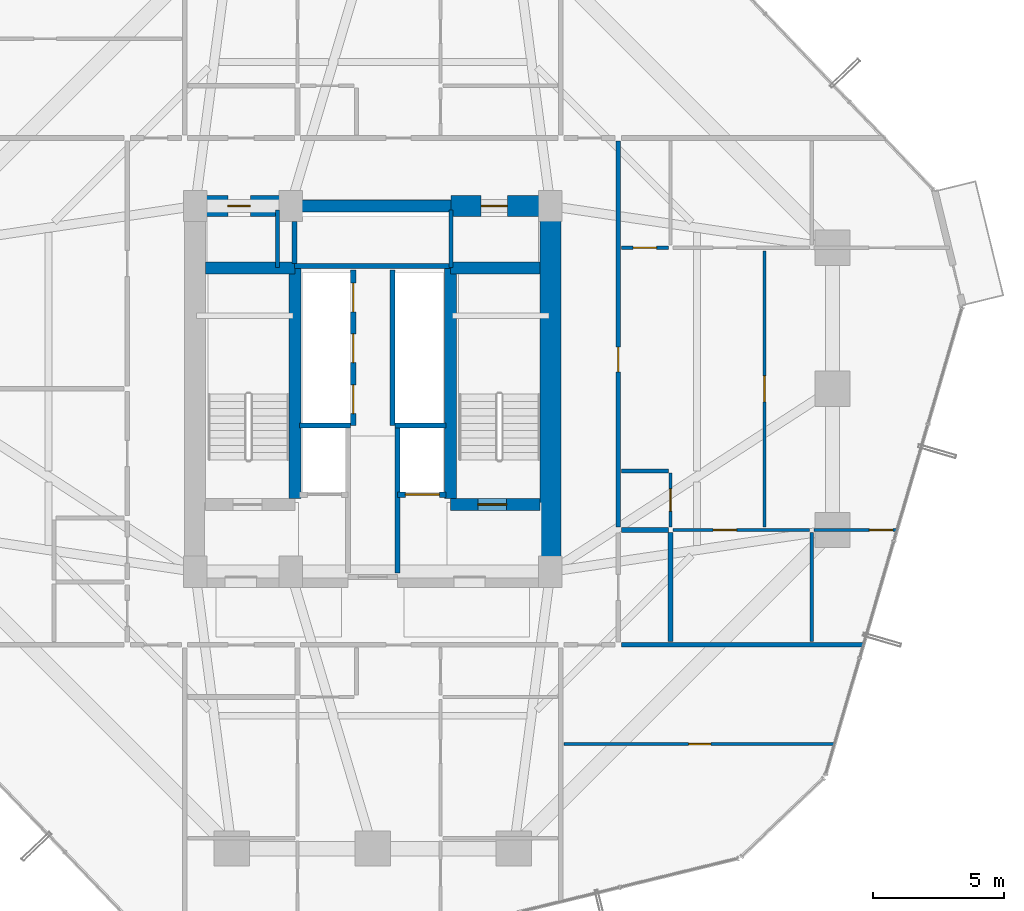
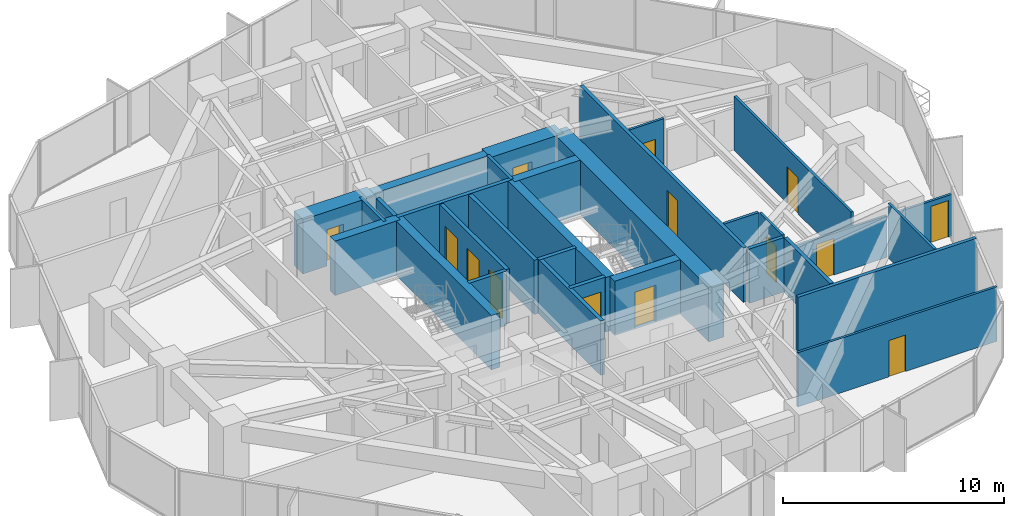
# One storey, part 33 of 37: 31 walls, 14 doors, 14 openings.
"""IFC4 building model written with IfcOpenShell, lengths in metres."""

from ifc_helpers import new_model, si_unit, direction, frame, frame_2d, origin, place, context, subcontext, project, spatial, rectangle, extrude, source, transform, mapped, material, layer, layer_set, type_object, element, fill, save


model = new_model("IFC4")

# Units and contexts
model_context = context("Model", 3, precision=1e-05, world=origin(), true_north=direction((0.0, 1.0)))
body_context = subcontext(model_context, "Body", "Model", "MODEL_VIEW")
ifc_project = project(units=[si_unit("LENGTHUNIT", "METRE"), si_unit("AREAUNIT", "SQUARE_METRE"), si_unit("VOLUMEUNIT", "CUBIC_METRE"), si_unit("PLANEANGLEUNIT", "RADIAN"), si_unit("MASSUNIT", "GRAM", prefix="KILO")], contexts=[model_context])

# Site, building, storey
site_placement = place(None, origin())
site = spatial("IfcSite", under=ifc_project, at=site_placement, CompositionType="ELEMENT")
building_placement = place(site_placement, origin())
building = spatial("IfcBuilding", under=site, at=building_placement, Name="Veraguas Prism Commons", CompositionType="ELEMENT")
storey_placement = place(building_placement, frame((0.0, 0.0, 70.60009765625)))
storey = spatial("IfcBuildingStorey", under=building, at=storey_placement, Name="L19", CompositionType="ELEMENT", Elevation=70.60009765625)

# Wall
ifc_material_1 = material(Name="Concrete C60/75", Category="concrete")
ifc_layer_1 = layer(ifc_material_1, 0.449951171875, Name="Core Internal Shear Wall Lower RC 450", Category="concrete")
ifc_layer_set_1 = layer_set([ifc_layer_1], Name="Concrete C60/75")
wall_type_1 = type_object("IfcWallType", Name="Core Internal Shear Wall Lower RC 450", PredefinedType="SHEAR", material=ifc_layer_set_1)
wall_1_placement = place(storey_placement, frame((21.0, 31.0, 0.0), z_axis=(0.0, 0.0, 1.0), x_axis=(1.0, 0.0, 0.0)))
element("IfcWall", 1, at=wall_1_placement, inside=storey, type_object=wall_type_1, Name="High-Rise Lift Bank Front Shear Wall L19", PredefinedType="SHEAR", context=body_context, shape_type="SweptSolid", body=[
    extrude(rectangle(XDim=6.0, YDim=0.449951171875, at=frame_2d((3.0, 0.0))), origin(), (0.0, 0.0, 1.0), 3.0),
])

# Wall, opening, door
wall_2_placement = place(storey_placement, frame((26.97509765625, 19.574951171875, 0.0), z_axis=(0.0, 0.0, 1.0), x_axis=(1.0, 0.0, 0.0)))
wall_2 = element("IfcWall", 2, at=wall_2_placement, inside=storey, type_object=wall_type_1, Name="Stair ST-02 South Shear Wall L19", PredefinedType="SHEAR", context=body_context, shape_type="SweptSolid", body=[
    extrude(rectangle(XDim=3.4248046875, YDim=0.449951171875, at=frame_2d((1.71240234375, 0.0))), origin(), (0.0, 0.0, 1.0), 3.0),
])
opening_1_placement = place(wall_2_placement, frame((1.050048828125, 0.0, 0.0)))
opening_1 = element("IfcOpeningElement", 3, at=opening_1_placement, cuts=wall_2, Name="Opening DR-05", PredefinedType="OPENING", context=body_context, shape_type="SweptSolid", body=[
    extrude(rectangle(XDim=1.10009765625, YDim=2.030029296875, at=frame_2d((0.550048828125, 1.01513671875))), frame((0.0, 0.23486328125, 0.0), z_axis=(0.0, -1.0, 0.0), x_axis=(1.0, 0.0, 0.0)), (0.0, 0.0, 1.0), 0.469970703125),
])
ifc_material_2 = material(Name="Steel fire-rated door assembly", Category="steel")
door_type_1 = type_object("IfcDoorType", Name="Protected Stair and Refuge Fire Door 1100x2030", OperationType="NOTDEFINED", PredefinedType="DOOR", material=ifc_material_2)
shared_shape_1 = source(origin(), body_context, "Body", "SweptSolid", [
    extrude(rectangle(XDim=1.10009765625, YDim=2.030029296875, at=frame_2d((0.550048828125, 1.01513671875))), frame((0.0, 0.02490234375, 0.0), z_axis=(0.0, -1.0, 0.0), x_axis=(1.0, 0.0, 0.0)), (0.0, 0.0, 1.0), 0.050048828125),
])
door_1_placement = place(opening_1_placement, origin())
door_1 = element("IfcDoor", 4, at=door_1_placement, inside=storey, type_object=door_type_1, Name="Stair ST-02 Enclosure Door L19", OperationType="SINGLE_SWING_LEFT", OverallHeight=2.030029296875, OverallWidth=1.10009765625, PredefinedType="DOOR", context=body_context, shape_type="MappedRepresentation", body=[
    mapped(shared_shape_1, transform((0.0, 0.0, 0.0), scale=1.0)),
])
fill(opening_1, door_1)

# Walls
for number, where, z_axis, x_axis, name in (
    (5, (21.02490234375, 19.800048828125, 0.0), (0.0, 0.0, 1.0), (0.0, 1.0, 0.0), "Stair ST-01 Inner Shear Wall L19"),
    (6, (26.97509765625, 19.800048828125, 0.0), (0.0, 0.0, 1.0), (0.0, 1.0, 0.0), "Stair ST-02 Inner Shear Wall L19"),
):
    element("IfcWall", number, at=place(storey_placement, frame(where, z_axis=z_axis, x_axis=x_axis)), inside=storey, type_object=wall_type_1, Name=name, PredefinedType="SHEAR", context=body_context, shape_type="SweptSolid", body=[
        extrude(rectangle(XDim=8.824951171875, YDim=0.449951171875, at=frame_2d((4.41259765625, 0.0))), origin(), (0.0, 0.0, 1.0), 3.0),
    ])
for number, where, z_axis, x_axis, name in (
    (7, (17.60009765625, 28.625, 0.0), (0.0, 0.0, 1.0), (1.0, 0.0, 0.0), "Stair ST-01 North Shear Wall L19"),
    (8, (26.97509765625, 28.625, 0.0), (0.0, 0.0, 1.0), (1.0, 0.0, 0.0), "Stair ST-02 North Shear Wall L19"),
):
    element("IfcWall", number, at=place(storey_placement, frame(where, z_axis=z_axis, x_axis=x_axis)), inside=storey, type_object=wall_type_1, Name=name, PredefinedType="SHEAR", context=body_context, shape_type="SweptSolid", body=[
        extrude(rectangle(XDim=3.4248046875, YDim=0.449951171875, at=frame_2d((1.71240234375, 0.0))), origin(), (0.0, 0.0, 1.0), 3.0),
    ])
ifc_layer_2 = layer(ifc_material_1, 0.800048828125, Name="Core Outer Shear Wall Lower RC 800", Category="concrete")
ifc_layer_set_2 = layer_set([ifc_layer_2], Name="Concrete C60/75")
wall_type_2 = type_object("IfcWallType", Name="Core Outer Shear Wall Lower RC 800", PredefinedType="SHEAR", material=ifc_layer_set_2)
wall_3_placement = place(storey_placement, frame((30.800048828125, 16.800048828125, 0.0), z_axis=(0.0, 0.0, 1.0), x_axis=(0.0, 1.0, 0.0)))
element("IfcWall", 9, at=wall_3_placement, inside=storey, type_object=wall_type_2, Name="Central Core East Shear Wall L19", PredefinedType="SHEAR", context=body_context, shape_type="SweptSolid", body=[
    extrude(rectangle(XDim=14.199951171875, YDim=0.800048828125, at=frame_2d((7.10009765625, 0.0))), origin(), (0.0, 0.0, 1.0), 3.0),
])

# Wall, opening, door
wall_4_placement = place(storey_placement, frame((17.199951171875, 31.0, 0.0), z_axis=(0.0, 0.0, 1.0), x_axis=(1.0, 0.0, 0.0)))
wall_4 = element("IfcWall", 10, at=wall_4_placement, inside=storey, type_object=wall_type_2, Name="Central Core North-West Shear Wall L19", PredefinedType="SHEAR", context=body_context, shape_type="SweptSolid", body=[
    extrude(rectangle(XDim=3.800048828125, YDim=0.800048828125, at=frame_2d((1.89990234375, 0.0))), origin(), (0.0, 0.0, 1.0), 3.0),
])
opening_2_placement = place(wall_4_placement, frame((1.25, 0.0, 0.0)))
opening_2 = element("IfcOpeningElement", 11, at=opening_2_placement, cuts=wall_4, Name="Opening DR-12", PredefinedType="OPENING", context=body_context, shape_type="SweptSolid", body=[
    extrude(rectangle(XDim=0.860107421875, YDim=2.010009765625, at=frame_2d((0.43017578125, 1.0048828125))), frame((0.0, 0.409912109375, 0.0), z_axis=(0.0, -1.0, 0.0), x_axis=(1.0, 0.0, 0.0)), (0.0, 0.0, 1.0), 0.820068359375),
])
door_type_2 = type_object("IfcDoorType", Name="Core WC Fire Door 860x2010", OperationType="NOTDEFINED", PredefinedType="DOOR", material=ifc_material_2)
shared_shape_2 = source(origin(), body_context, "Body", "SweptSolid", [
    extrude(rectangle(XDim=0.860107421875, YDim=2.010009765625, at=frame_2d((0.43017578125, 1.0048828125))), frame((0.0, 0.02490234375, 0.0), z_axis=(0.0, -1.0, 0.0), x_axis=(1.0, 0.0, 0.0)), (0.0, 0.0, 1.0), 0.050048828125),
])
door_2_placement = place(opening_2_placement, origin())
door_2 = element("IfcDoor", 12, at=door_2_placement, inside=storey, type_object=door_type_2, Name="Core NW Service Door L19", OperationType="SINGLE_SWING_RIGHT", OverallHeight=2.010009765625, OverallWidth=0.860107421875, PredefinedType="DOOR", context=body_context, shape_type="MappedRepresentation", body=[
    mapped(shared_shape_2, transform((0.0, 0.0, 0.0), scale=1.0)),
])
fill(opening_2, door_2)

wall_5_placement = place(storey_placement, frame((27.0, 31.0, 0.0), z_axis=(0.0, 0.0, 1.0), x_axis=(1.0, 0.0, 0.0)))
wall_5 = element("IfcWall", 13, at=wall_5_placement, inside=storey, type_object=wall_type_2, Name="Central Core North-East Shear Wall L19", PredefinedType="SHEAR", context=body_context, shape_type="SweptSolid", body=[
    extrude(rectangle(XDim=3.800048828125, YDim=0.800048828125, at=frame_2d((1.89990234375, 0.0))), origin(), (0.0, 0.0, 1.0), 3.0),
])
opening_3_placement = place(wall_5_placement, frame((1.14990234375, 0.0, 0.0)))
opening_3 = element("IfcOpeningElement", 14, at=opening_3_placement, cuts=wall_5, Name="Opening DR-13", PredefinedType="OPENING", context=body_context, shape_type="SweptSolid", body=[
    extrude(rectangle(XDim=1.0, YDim=2.010009765625, at=frame_2d((0.5, 1.0048828125))), frame((0.0, 0.409912109375, 0.0), z_axis=(0.0, -1.0, 0.0), x_axis=(1.0, 0.0, 0.0)), (0.0, 0.0, 1.0), 0.820068359375),
])
door_type_3 = type_object("IfcDoorType", Name="Core Accessible WC and Clinic Fire Door 1000x2010", OperationType="NOTDEFINED", PredefinedType="DOOR", material=ifc_material_2)
shared_shape_3 = source(origin(), body_context, "Body", "SweptSolid", [
    extrude(rectangle(XDim=1.0, YDim=2.010009765625, at=frame_2d((0.5, 1.0048828125))), frame((0.0, 0.02490234375, 0.0), z_axis=(0.0, -1.0, 0.0), x_axis=(1.0, 0.0, 0.0)), (0.0, 0.0, 1.0), 0.050048828125),
])
door_3_placement = place(opening_3_placement, origin())
door_3 = element("IfcDoor", 15, at=door_3_placement, inside=storey, type_object=door_type_3, Name="Core NE Pantry Door L19", OperationType="SINGLE_SWING_LEFT", OverallHeight=2.010009765625, OverallWidth=1.0, PredefinedType="DOOR", context=body_context, shape_type="MappedRepresentation", body=[
    mapped(shared_shape_3, transform((0.0, 0.0, 0.0), scale=1.0)),
])
fill(opening_3, door_3)

# Wall
ifc_material_3 = material(Name="Autoclaved aerated masonry block 10 MPa", Category="masonry")
ifc_layer_3 = layer(ifc_material_3, 0.179931640625, Name="Corridor and Inter-Tenancy Partition 180", Category="masonry")
ifc_layer_set_3 = layer_set([ifc_layer_3], Name="Autoclaved aerated masonry block 10 MPa")
wall_type_3 = type_object("IfcWallType", Name="Corridor and Inter-Tenancy Partition 180", PredefinedType="PARTITIONING", material=ifc_layer_set_3)
wall_6_placement = place(storey_placement, frame((33.52001953125, 14.199951171875, 0.0), z_axis=(0.0, 0.0, 1.0), x_axis=(1.0, 0.0, 0.0)))
element("IfcWall", 16, at=wall_6_placement, inside=storey, type_object=wall_type_3, Name="WL-L19-PT044", PredefinedType="PARTITIONING", context=body_context, shape_type="SweptSolid", body=[
    extrude(rectangle(XDim=9.302001953125, YDim=0.179931640625, at=frame_2d((4.65087890625, 0.0))), origin(), (0.0, 0.0, 1.0), 3.0),
])

# Wall, opening, door
wall_7_placement = place(storey_placement, frame((33.39990234375, 18.7099609375, 0.0), z_axis=(0.0, 0.0, 1.0), x_axis=(0.0, 1.0, 0.0)))
wall_7 = element("IfcWall", 17, at=wall_7_placement, inside=storey, type_object=wall_type_3, Name="WL-L19-PT047", PredefinedType="PARTITIONING", context=body_context, shape_type="SweptSolid", body=[
    extrude(rectangle(XDim=14.780029296875, YDim=0.179931640625, at=frame_2d((7.39013671875, 0.0))), origin(), (0.0, 0.0, 1.0), 3.0),
])
opening_4_placement = place(wall_7_placement, frame((5.93994140625, 0.0, 0.0)))
opening_4 = element("IfcOpeningElement", 18, at=opening_4_placement, cuts=wall_7, Name="Opening DR-01", PredefinedType="OPENING", context=body_context, shape_type="SweptSolid", body=[
    extrude(rectangle(XDim=0.949951171875, YDim=2.02001953125, at=frame_2d((0.47509765625, 1.010009765625))), frame((0.0, 0.099853515625, 0.0), z_axis=(0.0, -1.0, 0.0), x_axis=(1.0, 0.0, 0.0)), (0.0, 0.0, 1.0), 0.199951171875),
])
ifc_material_4 = material(Name="Anodised aluminium EN AW-6063 T6", Category="aluminium")
door_type_4 = type_object("IfcDoorType", Name="Apartment Entrance Fire Door 950x2020", OperationType="NOTDEFINED", PredefinedType="DOOR", material=ifc_material_4)
shared_shape_4 = source(origin(), body_context, "Body", "SweptSolid", [
    extrude(rectangle(XDim=0.949951171875, YDim=2.02001953125, at=frame_2d((0.47509765625, 1.010009765625))), frame((0.0, 0.02490234375, 0.0), z_axis=(0.0, -1.0, 0.0), x_axis=(1.0, 0.0, 0.0)), (0.0, 0.0, 1.0), 0.050048828125),
])
door_4_placement = place(opening_4_placement, origin())
door_4 = element("IfcDoor", 19, at=door_4_placement, inside=storey, type_object=door_type_4, Name="Flat 19C Entrance Door", OperationType="SINGLE_SWING_LEFT", OverallHeight=2.02001953125, OverallWidth=0.949951171875, PredefinedType="DOOR", context=body_context, shape_type="MappedRepresentation", body=[
    mapped(shared_shape_4, transform((0.0, 0.0, 0.0), scale=1.0)),
])
fill(opening_4, door_4)

# Walls
wall_8_placement = place(storey_placement, frame((35.39990234375, 14.320068359375, 0.0), z_axis=(0.0, 0.0, 1.0), x_axis=(0.0, 1.0, 0.0)))
element("IfcWall", 20, at=wall_8_placement, inside=storey, type_object=wall_type_3, Name="WL-L19-PT053", PredefinedType="PARTITIONING", context=body_context, shape_type="SweptSolid", body=[
    extrude(rectangle(XDim=4.179931640625, YDim=0.179931640625, at=frame_2d((2.08984375, 0.0))), origin(), (0.0, 0.0, 1.0), 3.0),
])
wall_9_placement = place(storey_placement, frame((33.52001953125, 18.60009765625, 0.0), z_axis=(0.0, 0.0, 1.0), x_axis=(1.0, 0.0, 0.0)))
element("IfcWall", 21, at=wall_9_placement, inside=storey, type_object=wall_type_3, Name="WL-L19-PT054", PredefinedType="PARTITIONING", context=body_context, shape_type="SweptSolid", body=[
    extrude(rectangle(XDim=1.800048828125, YDim=0.179931640625, at=frame_2d((0.89990234375, 0.0))), origin(), (0.0, 0.0, 1.0), 3.0),
])
ifc_material_5 = material(Name="Lightweight acoustic gypsum board")
ifc_layer_4 = layer(ifc_material_5, 0.125, Name="Internal Apartment Room Partition 125")
ifc_layer_set_4 = layer_set([ifc_layer_4], Name="Lightweight acoustic gypsum board")
wall_type_4 = type_object("IfcWallType", Name="Internal Apartment Room Partition 125", PredefinedType="PARTITIONING", material=ifc_layer_set_4)
wall_10_placement = place(storey_placement, frame((40.800048828125, 14.320068359375, 0.0), z_axis=(0.0, 0.0, 1.0), x_axis=(0.0, 1.0, 0.0)))
element("IfcWall", 22, at=wall_10_placement, inside=storey, type_object=wall_type_4, Name="WL-L19-PT048", PredefinedType="PARTITIONING", context=body_context, shape_type="SweptSolid", body=[
    extrude(rectangle(XDim=4.179931640625, YDim=0.125, at=frame_2d((2.08984375, 0.0))), origin(), (0.0, 0.0, 1.0), 3.0),
])

# Wall, opening, door
wall_11_placement = place(storey_placement, frame((40.89990234375, 18.60009765625, 0.0), z_axis=(0.0, 0.0, 1.0), x_axis=(1.0, 0.0, 0.0)))
wall_11 = element("IfcWall", 23, at=wall_11_placement, inside=storey, type_object=wall_type_4, Name="WL-L19-PT049", PredefinedType="PARTITIONING", context=body_context, shape_type="SweptSolid", body=[
    extrude(rectangle(XDim=3.207275390625, YDim=0.125, at=frame_2d((1.603515625, 0.0))), origin(), (0.0, 0.0, 1.0), 2.298828125),
])
opening_5_placement = place(wall_11_placement, frame((2.107177734375, 0.0, 0.0)))
opening_5 = element("IfcOpeningElement", 24, at=opening_5_placement, cuts=wall_11, Name="Opening DR-02", PredefinedType="OPENING", context=body_context, shape_type="SweptSolid", body=[
    extrude(rectangle(XDim=0.89990234375, YDim=2.010009765625, at=frame_2d((0.449951171875, 1.0048828125))), frame((0.0, 0.072509765625, 0.0), z_axis=(0.0, -1.0, 0.0), x_axis=(1.0, 0.0, 0.0)), (0.0, 0.0, 1.0), 0.14501953125),
])
ifc_material_6 = material(Name="Timber solid core hardwood", Category="wood")
door_type_5 = type_object("IfcDoorType", Name="Internal Habitable Room Door 900x2010", OperationType="NOTDEFINED", PredefinedType="DOOR", material=ifc_material_6)
shared_shape_5 = source(origin(), body_context, "Body", "SweptSolid", [
    extrude(rectangle(XDim=0.89990234375, YDim=2.010009765625, at=frame_2d((0.449951171875, 1.0048828125))), frame((0.0, 0.02490234375, 0.0), z_axis=(0.0, -1.0, 0.0), x_axis=(1.0, 0.0, 0.0)), (0.0, 0.0, 1.0), 0.050048828125),
])
door_5_placement = place(opening_5_placement, origin())
door_5 = element("IfcDoor", 25, at=door_5_placement, inside=storey, type_object=door_type_5, Name="Flat 19C Bedroom 3 Door", OperationType="SINGLE_SWING_RIGHT", OverallHeight=2.010009765625, OverallWidth=0.89990234375, PredefinedType="DOOR", context=body_context, shape_type="MappedRepresentation", body=[
    mapped(shared_shape_5, transform((0.0, 0.0, 0.0), scale=1.0)),
])
fill(opening_5, door_5)

wall_12_placement = place(storey_placement, frame((39.0, 18.719970703125, 0.0), z_axis=(0.0, 0.0, 1.0), x_axis=(0.0, 1.0, 0.0)))
wall_12 = element("IfcWall", 26, at=wall_12_placement, inside=storey, type_object=wall_type_4, Name="WL-L19-PT052", PredefinedType="PARTITIONING", context=body_context, shape_type="SweptSolid", body=[
    extrude(rectangle(XDim=10.56005859375, YDim=0.125, at=frame_2d((5.280029296875, 0.0))), origin(), (0.0, 0.0, 1.0), 3.0),
])
opening_6_placement = place(wall_12_placement, frame((4.780029296875, 0.0, 0.0)))
opening_6 = element("IfcOpeningElement", 27, at=opening_6_placement, cuts=wall_12, Name="Opening DR-04", PredefinedType="OPENING", context=body_context, shape_type="SweptSolid", body=[
    extrude(rectangle(XDim=1.0, YDim=2.010009765625, at=frame_2d((0.5, 1.0048828125))), frame((0.0, 0.072509765625, 0.0), z_axis=(0.0, -1.0, 0.0), x_axis=(1.0, 0.0, 0.0)), (0.0, 0.0, 1.0), 0.14501953125),
])
door_type_6 = type_object("IfcDoorType", Name="Accessible WC and Clinic Exam Door 1000x2010", OperationType="NOTDEFINED", PredefinedType="DOOR", material=ifc_material_4)
door_6_placement = place(opening_6_placement, origin())
door_6 = element("IfcDoor", 28, at=door_6_placement, inside=storey, type_object=door_type_6, Name="Flat 19C Sunroom Door", OperationType="SINGLE_SWING_RIGHT", OverallHeight=2.010009765625, OverallWidth=1.0, PredefinedType="DOOR", context=body_context, shape_type="MappedRepresentation", body=[
    mapped(shared_shape_3, transform((0.0, 0.0, 0.0), scale=1.0)),
])
fill(opening_6, door_6)

wall_13_placement = place(storey_placement, frame((35.5, 18.60009765625, 0.0), z_axis=(0.0, 0.0, 1.0), x_axis=(1.0, 0.0, 0.0)))
wall_13 = element("IfcWall", 29, at=wall_13_placement, inside=storey, type_object=wall_type_4, Name="WL-L19-PT055", PredefinedType="PARTITIONING", context=body_context, shape_type="SweptSolid", body=[
    extrude(rectangle(XDim=5.219970703125, YDim=0.125, at=frame_2d((2.60986328125, 0.0))), origin(), (0.0, 0.0, 1.0), 2.298828125),
])
opening_7_placement = place(wall_13_placement, frame((1.53271484375, 0.0, 0.0)))
opening_7 = element("IfcOpeningElement", 30, at=opening_7_placement, cuts=wall_13, Name="Opening DR-02", PredefinedType="OPENING", context=body_context, shape_type="SweptSolid", body=[
    extrude(rectangle(XDim=0.89990234375, YDim=2.010009765625, at=frame_2d((0.449951171875, 1.0048828125))), frame((0.0, 0.072509765625, 0.0), z_axis=(0.0, -1.0, 0.0), x_axis=(1.0, 0.0, 0.0)), (0.0, 0.0, 1.0), 0.14501953125),
])
door_7_placement = place(opening_7_placement, origin())
door_7 = element("IfcDoor", 31, at=door_7_placement, inside=storey, type_object=door_type_5, Name="Flat 19C Bedroom 2 Door", OperationType="SINGLE_SWING_LEFT", OverallHeight=2.010009765625, OverallWidth=0.89990234375, PredefinedType="DOOR", context=body_context, shape_type="MappedRepresentation", body=[
    mapped(shared_shape_5, transform((0.0, 0.0, 0.0), scale=1.0)),
])
fill(opening_7, door_7)

wall_14_placement = place(storey_placement, frame((35.39990234375, 18.719970703125, 0.0), z_axis=(0.0, 0.0, 1.0), x_axis=(0.0, 1.0, 0.0)))
wall_14 = element("IfcWall", 32, at=wall_14_placement, inside=storey, type_object=wall_type_4, Name="WL-L19-PT057", PredefinedType="PARTITIONING", context=body_context, shape_type="SweptSolid", body=[
    extrude(rectangle(XDim=2.050048828125, YDim=0.125, at=frame_2d((1.02490234375, 0.0))), origin(), (0.0, 0.0, 1.0), 3.0),
])
opening_8_placement = place(wall_14_placement, frame((0.594970703125, 0.0, 0.0)))
opening_8 = element("IfcOpeningElement", 33, at=opening_8_placement, cuts=wall_14, Name="Opening DR-03", PredefinedType="OPENING", context=body_context, shape_type="SweptSolid", body=[
    extrude(rectangle(XDim=0.860107421875, YDim=2.010009765625, at=frame_2d((0.43017578125, 1.0048828125))), frame((0.0, 0.072509765625, 0.0), z_axis=(0.0, -1.0, 0.0), x_axis=(1.0, 0.0, 0.0)), (0.0, 0.0, 1.0), 0.14501953125),
])
ifc_material_7 = material(Name="Timber moisture-resistant leaf", Category="wood")
door_type_7 = type_object("IfcDoorType", Name="Internal Bathroom Door 860x2010", OperationType="NOTDEFINED", PredefinedType="DOOR", material=ifc_material_7)
door_8_placement = place(opening_8_placement, origin())
door_8 = element("IfcDoor", 34, at=door_8_placement, inside=storey, type_object=door_type_7, Name="Flat 19C Bathroom Door", OperationType="SINGLE_SWING_RIGHT", OverallHeight=2.010009765625, OverallWidth=0.860107421875, PredefinedType="DOOR", context=body_context, shape_type="MappedRepresentation", body=[
    mapped(shared_shape_2, transform((0.0, 0.0, 0.0), scale=1.0)),
])
fill(opening_8, door_8)

wall_15_placement = place(storey_placement, frame((33.52001953125, 29.39990234375, 0.0), z_axis=(0.0, 0.0, 1.0), x_axis=(1.0, 0.0, 0.0)))
wall_15 = element("IfcWall", 35, at=wall_15_placement, inside=storey, type_object=wall_type_4, Name="WL-L19-PT058", PredefinedType="PARTITIONING", context=body_context, shape_type="SweptSolid", body=[
    extrude(rectangle(XDim=1.800048828125, YDim=0.125, at=frame_2d((0.89990234375, 0.0))), origin(), (0.0, 0.0, 1.0), 3.0),
])
opening_9_placement = place(wall_15_placement, frame((0.449951171875, 0.0, 0.0)))
opening_9 = element("IfcOpeningElement", 36, at=opening_9_placement, cuts=wall_15, Name="Opening DR-02", PredefinedType="OPENING", context=body_context, shape_type="SweptSolid", body=[
    extrude(rectangle(XDim=0.89990234375, YDim=2.010009765625, at=frame_2d((0.449951171875, 1.0048828125))), frame((0.0, 0.072509765625, 0.0), z_axis=(0.0, -1.0, 0.0), x_axis=(1.0, 0.0, 0.0)), (0.0, 0.0, 1.0), 0.14501953125),
])
door_9_placement = place(opening_9_placement, origin())
door_9 = element("IfcDoor", 37, at=door_9_placement, inside=storey, type_object=door_type_5, Name="Flat 19C Kitchen Door", OperationType="SINGLE_SWING_LEFT", OverallHeight=2.010009765625, OverallWidth=0.89990234375, PredefinedType="DOOR", context=body_context, shape_type="MappedRepresentation", body=[
    mapped(shared_shape_5, transform((0.0, 0.0, 0.0), scale=1.0)),
])
fill(opening_9, door_9)

wall_16_placement = place(storey_placement, frame((31.320068359375, 10.39990234375, 0.0), z_axis=(0.0, 0.0, 1.0), x_axis=(1.0, 0.0, 0.0)))
wall_16 = element("IfcWall", 38, at=wall_16_placement, inside=storey, type_object=wall_type_4, Name="WL-L19-PT063", PredefinedType="PARTITIONING", context=body_context, shape_type="SweptSolid", body=[
    extrude(rectangle(XDim=10.392333984375, YDim=0.125, at=frame_2d((5.1962890625, 0.0))), origin(), (0.0, 0.0, 1.0), 3.0),
])
opening_10_placement = place(wall_16_placement, frame((4.76611328125, 0.0, 0.0)))
opening_10 = element("IfcOpeningElement", 39, at=opening_10_placement, cuts=wall_16, Name="Opening DR-03", PredefinedType="OPENING", context=body_context, shape_type="SweptSolid", body=[
    extrude(rectangle(XDim=0.860107421875, YDim=2.010009765625, at=frame_2d((0.43017578125, 1.0048828125))), frame((0.0, 0.072509765625, 0.0), z_axis=(0.0, -1.0, 0.0), x_axis=(1.0, 0.0, 0.0)), (0.0, 0.0, 1.0), 0.14501953125),
])
door_10_placement = place(opening_10_placement, origin())
door_10 = element("IfcDoor", 40, at=door_10_placement, inside=storey, type_object=door_type_7, Name="Corner Store SE Door", OperationType="SINGLE_SWING_LEFT", OverallHeight=2.010009765625, OverallWidth=0.860107421875, PredefinedType="DOOR", context=body_context, shape_type="MappedRepresentation", body=[
    mapped(shared_shape_2, transform((0.0, 0.0, 0.0), scale=1.0)),
])
fill(opening_10, door_10)

ifc_layer_5 = layer(ifc_material_3, 0.199951171875, Name="Rated Shaft and Lobby Block Wall 200", Category="masonry")
ifc_layer_set_5 = layer_set([ifc_layer_5], Name="Autoclaved aerated masonry block 10 MPa")
wall_type_5 = type_object("IfcWallType", Name="Rated Shaft and Lobby Block Wall 200", PredefinedType="SOLIDWALL", material=ifc_layer_set_5)
wall_17_placement = place(storey_placement, frame((24.949951171875, 19.949951171875, 0.0), z_axis=(0.0, 0.0, 1.0), x_axis=(1.0, 0.0, 0.0)))
wall_17 = element("IfcWall", 41, at=wall_17_placement, inside=storey, type_object=wall_type_5, Name="Firefighting Lift FFL-2 Front Wall L19", PredefinedType="SOLIDWALL", context=body_context, shape_type="SweptSolid", body=[
    extrude(rectangle(XDim=1.85009765625, YDim=0.199951171875, at=frame_2d((0.925048828125, 0.0))), origin(), (0.0, 0.0, 1.0), 3.0),
])
opening_11_placement = place(wall_17_placement, frame((0.300048828125, 0.0, 0.0)))
opening_11 = element("IfcOpeningElement", 42, at=opening_11_placement, cuts=wall_17, Name="Opening LD-02", PredefinedType="OPENING", context=body_context, shape_type="SweptSolid", body=[
    extrude(rectangle(XDim=1.300048828125, YDim=2.25, at=frame_2d((0.64990234375, 1.125))), frame((0.0, 0.10986328125, 0.0), z_axis=(0.0, -1.0, 0.0), x_axis=(1.0, 0.0, 0.0)), (0.0, 0.0, 1.0), 0.219970703125),
])
ifc_material_8 = material(Name="Stainless steel AISI 316", Category="steel")
door_type_8 = type_object("IfcDoorType", Name="Firefighting Lift Sliding Landing Door 1300x2250", OperationType="NOTDEFINED", PredefinedType="DOOR", material=ifc_material_8)
shared_shape_6 = source(origin(), body_context, "Body", "SweptSolid", [
    extrude(rectangle(XDim=1.300048828125, YDim=2.25, at=frame_2d((0.64990234375, 1.125))), frame((0.0, 0.02490234375, 0.0), z_axis=(0.0, -1.0, 0.0), x_axis=(1.0, 0.0, 0.0)), (0.0, 0.0, 1.0), 0.050048828125),
])
door_11_placement = place(opening_11_placement, origin())
door_11 = element("IfcDoor", 43, at=door_11_placement, inside=storey, type_object=door_type_8, Name="Firefighting Lift FFL-2 Front Wall L19", OperationType="SLIDING_TO_LEFT", OverallHeight=2.25, OverallWidth=1.300048828125, PredefinedType="DOOR", context=body_context, shape_type="MappedRepresentation", body=[
    mapped(shared_shape_6, transform((0.0, 0.0, 0.0), scale=1.0)),
])
fill(opening_11, door_11)

# Walls
wall_18_placement = place(storey_placement, frame((24.949951171875, 16.949951171875, 0.0), z_axis=(0.0, 0.0, 1.0), x_axis=(0.0, 1.0, 0.0)))
element("IfcWall", 44, at=wall_18_placement, inside=storey, type_object=wall_type_5, Name="East FF Lobby Divider Wall L19", PredefinedType="SOLIDWALL", context=body_context, shape_type="SweptSolid", body=[
    extrude(rectangle(XDim=5.60009765625, YDim=0.199951171875, at=frame_2d((2.800048828125, 0.0))), origin(), (0.0, 0.0, 1.0), 3.0),
])
for number, where, z_axis, x_axis, name in (
    (45, (21.199951171875, 22.60009765625, 0.0), (0.0, 0.0, 1.0), (1.0, 0.0, 0.0), "Firefighting Lift FFL-1 Rear Wall L19"),
    (46, (24.85009765625, 22.60009765625, 0.0), (0.0, 0.0, 1.0), (1.0, 0.0, 0.0), "Firefighting Lift FFL-2 Rear Wall L19"),
):
    element("IfcWall", number, at=place(storey_placement, frame(where, z_axis=z_axis, x_axis=x_axis)), inside=storey, type_object=wall_type_5, Name=name, PredefinedType="SOLIDWALL", context=body_context, shape_type="SweptSolid", body=[
        extrude(rectangle(XDim=1.949951171875, YDim=0.199951171875, at=frame_2d((0.97509765625, 0.0))), origin(), (0.0, 0.0, 1.0), 3.0),
    ])
wall_19_placement = place(storey_placement, frame((21.0, 28.699951171875, 0.0), z_axis=(0.0, 0.0, 1.0), x_axis=(1.0, 0.0, 0.0)))
element("IfcWall", 47, at=wall_19_placement, inside=storey, type_object=wall_type_5, Name="High-Rise Lift Bank Rear Shaft Wall L19", PredefinedType="SOLIDWALL", context=body_context, shape_type="SweptSolid", body=[
    extrude(rectangle(XDim=6.0, YDim=0.199951171875, at=frame_2d((3.0, 0.0))), origin(), (0.0, 0.0, 1.0), 3.0),
])
wall_20_placement = place(storey_placement, frame((21.0, 28.800048828125, 0.0), z_axis=(0.0, 0.0, 1.0), x_axis=(0.0, 1.0, 0.0)))
element("IfcWall", 48, at=wall_20_placement, inside=storey, type_object=wall_type_5, Name="High-Rise Lift Bank West Shaft Wall L19", PredefinedType="SOLIDWALL", context=body_context, shape_type="SweptSolid", body=[
    extrude(rectangle(XDim=1.599853515625, YDim=0.199951171875, at=frame_2d((0.7998046875, 0.0))), origin(), (0.0, 0.0, 1.0), 3.0),
])

# Wall, openings, doors
wall_21_placement = place(storey_placement, frame((23.25, 22.60009765625, 0.0), z_axis=(0.0, 0.0, 1.0), x_axis=(0.0, 1.0, 0.0)))
wall_21 = element("IfcWall", 49, at=wall_21_placement, inside=storey, type_object=wall_type_5, Name="Low-Rise Lift Bank Front Wall L19", PredefinedType="SOLIDWALL", context=body_context, shape_type="SweptSolid", body=[
    extrude(rectangle(XDim=5.949951171875, YDim=0.199951171875, at=frame_2d((2.97509765625, 0.0))), origin(), (0.0, 0.0, 1.0), 3.0),
])
opening_12_placement = place(wall_21_placement, frame((0.449951171875, 0.0, 0.0)))
opening_12 = element("IfcOpeningElement", 50, at=opening_12_placement, cuts=wall_21, Name="Opening LD-01", PredefinedType="OPENING", context=body_context, shape_type="SweptSolid", body=[
    extrude(rectangle(XDim=1.10009765625, YDim=2.080078125, at=frame_2d((0.550048828125, 1.0400390625))), frame((0.0, 0.10986328125, 0.0), z_axis=(0.0, -1.0, 0.0), x_axis=(1.0, 0.0, 0.0)), (0.0, 0.0, 1.0), 0.219970703125),
])
opening_13_placement = place(wall_21_placement, frame((2.39990234375, 0.0, 0.0)))
opening_13 = element("IfcOpeningElement", 51, at=opening_13_placement, cuts=wall_21, Name="Opening LD-01", PredefinedType="OPENING", context=body_context, shape_type="SweptSolid", body=[
    extrude(rectangle(XDim=1.10009765625, YDim=2.080078125, at=frame_2d((0.550048828125, 1.0400390625))), frame((0.0, 0.10986328125, 0.0), z_axis=(0.0, -1.0, 0.0), x_axis=(1.0, 0.0, 0.0)), (0.0, 0.0, 1.0), 0.219970703125),
])
opening_14_placement = place(wall_21_placement, frame((4.35009765625, 0.0, 0.0)))
opening_14 = element("IfcOpeningElement", 52, at=opening_14_placement, cuts=wall_21, Name="Opening LD-01", PredefinedType="OPENING", context=body_context, shape_type="SweptSolid", body=[
    extrude(rectangle(XDim=1.10009765625, YDim=2.080078125, at=frame_2d((0.550048828125, 1.0400390625))), frame((0.0, 0.10986328125, 0.0), z_axis=(0.0, -1.0, 0.0), x_axis=(1.0, 0.0, 0.0)), (0.0, 0.0, 1.0), 0.219970703125),
])
door_type_9 = type_object("IfcDoorType", Name="Passenger Lift Sliding Landing Door 1100x2080", OperationType="NOTDEFINED", PredefinedType="DOOR", material=ifc_material_8)
shared_shape_7 = source(origin(), body_context, "Body", "SweptSolid", [
    extrude(rectangle(XDim=1.10009765625, YDim=2.080078125, at=frame_2d((0.550048828125, 1.0400390625))), frame((0.0, 0.02490234375, 0.0), z_axis=(0.0, -1.0, 0.0), x_axis=(1.0, 0.0, 0.0)), (0.0, 0.0, 1.0), 0.050048828125),
])
door_12_placement = place(opening_12_placement, origin())
door_12 = element("IfcDoor", 53, at=door_12_placement, inside=storey, type_object=door_type_9, Name="Sliding Landing Door PL-L1 L19", OperationType="SLIDING_TO_LEFT", OverallHeight=2.080078125, OverallWidth=1.10009765625, PredefinedType="DOOR", context=body_context, shape_type="MappedRepresentation", body=[
    mapped(shared_shape_7, transform((0.0, 0.0, 0.0), scale=1.0)),
])
fill(opening_12, door_12)
door_13_placement = place(opening_13_placement, origin())
door_13 = element("IfcDoor", 54, at=door_13_placement, inside=storey, type_object=door_type_9, Name="Sliding Landing Door PL-L2 L19", OperationType="SLIDING_TO_LEFT", OverallHeight=2.080078125, OverallWidth=1.10009765625, PredefinedType="DOOR", context=body_context, shape_type="MappedRepresentation", body=[
    mapped(shared_shape_7, transform((0.0, 0.0, 0.0), scale=1.0)),
])
fill(opening_13, door_13)
door_14_placement = place(opening_14_placement, origin())
door_14 = element("IfcDoor", 55, at=door_14_placement, inside=storey, type_object=door_type_9, Name="Sliding Landing Door PL-L3 L19", OperationType="SLIDING_TO_LEFT", OverallHeight=2.080078125, OverallWidth=1.10009765625, PredefinedType="DOOR", context=body_context, shape_type="MappedRepresentation", body=[
    mapped(shared_shape_7, transform((0.0, 0.0, 0.0), scale=1.0)),
])
fill(opening_14, door_14)

# Walls
wall_22_placement = place(storey_placement, frame((24.75, 22.60009765625, 0.0), z_axis=(0.0, 0.0, 1.0), x_axis=(0.0, 1.0, 0.0)))
element("IfcWall", 56, at=wall_22_placement, inside=storey, type_object=wall_type_5, Name="Mid-Rise Lift Bank Front Wall L19", PredefinedType="SOLIDWALL", context=body_context, shape_type="SweptSolid", body=[
    extrude(rectangle(XDim=5.949951171875, YDim=0.199951171875, at=frame_2d((2.97509765625, 0.0))), origin(), (0.0, 0.0, 1.0), 3.0),
])
ifc_layer_6 = layer(ifc_material_5, 0.14990234375, Name="Wet Room and Clinic Acoustic Partition 150")
ifc_layer_set_6 = layer_set([ifc_layer_6], Name="Lightweight acoustic gypsum board")
wall_type_6 = type_object("IfcWallType", Name="Wet Room and Clinic Acoustic Partition 150", PredefinedType="PARTITIONING", material=ifc_layer_set_6)
for number, where, z_axis, x_axis, name in (
    (57, (20.35009765625, 28.64990234375, 0.0), (0.0, 0.0, 1.0), (0.0, 1.0, 0.0), "Core NW Service Inner Wall L19"),
    (58, (27.0, 28.64990234375, 0.0), (0.0, 0.0, 1.0), (0.0, 1.0, 0.0), "Core NE Service Inner Wall L19"),
):
    element("IfcWall", number, at=place(storey_placement, frame(where, z_axis=z_axis, x_axis=x_axis)), inside=storey, type_object=wall_type_6, Name=name, PredefinedType="PARTITIONING", context=body_context, shape_type="SweptSolid", body=[
        extrude(rectangle(XDim=2.2001953125, YDim=0.14990234375, at=frame_2d((1.10009765625, 0.0))), origin(), (0.0, 0.0, 1.0), 3.0),
    ])
wall_23_placement = place(storey_placement, frame((33.52001953125, 20.85009765625, 0.0), z_axis=(0.0, 0.0, 1.0), x_axis=(1.0, 0.0, 0.0)))
element("IfcWall", 59, at=wall_23_placement, inside=storey, type_object=wall_type_6, Name="WL-L19-PT056", PredefinedType="PARTITIONING", context=body_context, shape_type="SweptSolid", body=[
    extrude(rectangle(XDim=1.800048828125, YDim=0.14990234375, at=frame_2d((0.89990234375, 0.0))), origin(), (0.0, 0.0, 1.0), 3.0),
])

save(model, "model.ifc")
